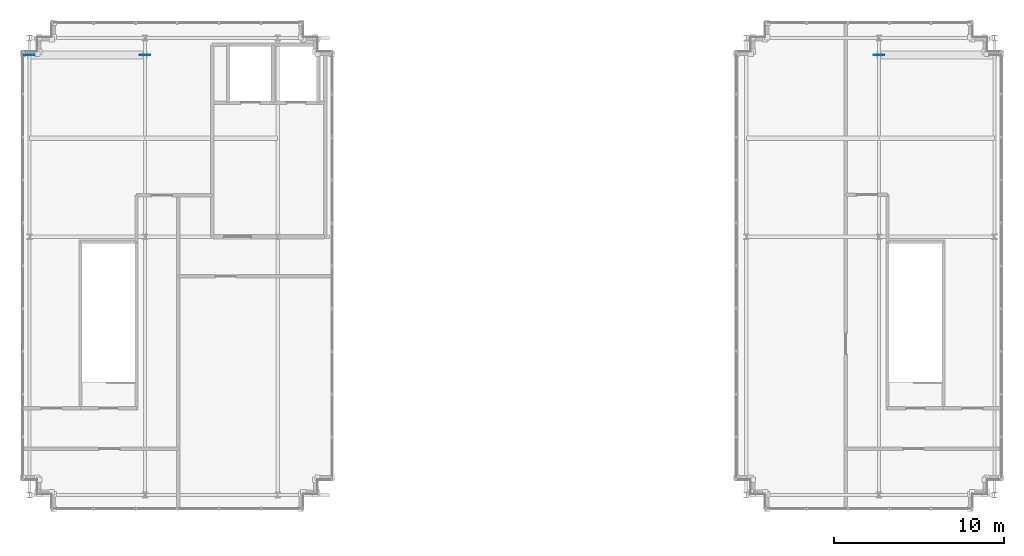
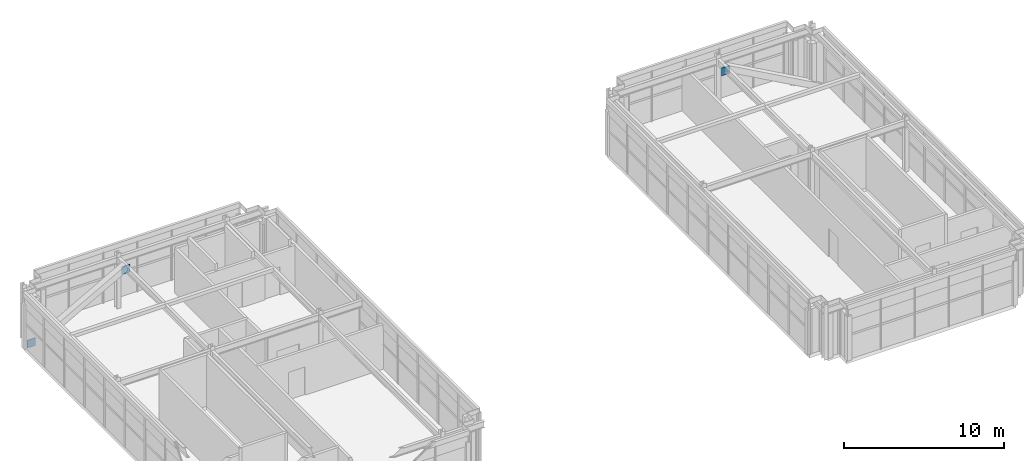
# One storey, part 21 of 25: 3 plates.
"""IFC4 building model written with IfcOpenShell, lengths in metres."""

from ifc_helpers import new_model, si_unit, direction, frame, origin, origin_2d, place, context, subcontext, project, spatial, rectangle, extrude, source, transform, mapped, material, layer, layer_set, type_object, element, save


model = new_model("IFC4")

# Units and contexts
model_context = context("Model", 3, precision=1e-05, world=origin(), true_north=direction((0.0, 1.0)))
body_context = subcontext(model_context, "Body", "Model", "MODEL_VIEW")
ifc_project = project(units=[si_unit("LENGTHUNIT", "METRE"), si_unit("AREAUNIT", "SQUARE_METRE"), si_unit("VOLUMEUNIT", "CUBIC_METRE"), si_unit("PLANEANGLEUNIT", "RADIAN"), si_unit("MASSUNIT", "GRAM", prefix="KILO")], contexts=[model_context])

# Site, building, storey
site_placement = place(None, origin())
site = spatial("IfcSite", under=ifc_project, at=site_placement, CompositionType="ELEMENT")
building_placement = place(site_placement, origin())
building = spatial("IfcBuilding", under=site, at=building_placement, Name="Trelvane Seafront Commons", CompositionType="ELEMENT")
storey_placement = place(building_placement, frame((0.0, 0.0, 320.89990234375)))
storey = spatial("IfcBuildingStorey", under=building, at=storey_placement, Name="L83", CompositionType="ELEMENT", Elevation=320.89990234375)

# Plates
ifc_material = material(Name="Steel SM355 (S355)", Category="steel")
ifc_layer = layer(ifc_material, 0.031982421875, Name="STR-PLT-GUS2")
ifc_layer_set = layer_set([ifc_layer], Name="Steel SM355 (S355)")
plate_type = type_object("IfcPlateType", Name="STR-PLT-GUS2", PredefinedType="SHEET", material=ifc_layer_set)
shared_shape = source(origin(), body_context, "Body", "SweptSolid", [
    extrude(rectangle(XDim=0.60009765625, YDim=0.031982421875, at=origin_2d()), origin(), (0.0, 0.0, 1.0), 0.60009765625),
])
for number, where, z_axis, x_axis, name in (
    (1, (8.800048828125, 44.10009765625, -0.02001953125), (0.0, 0.0, 1.0), (1.0, 0.0, 0.0), "L83 Brace Connection Gusset Plate GP-139"),
    (2, (15.60009765625, 44.10009765625, 3.199951171875), (0.0, 0.0, 1.0), (1.0, 0.0, 0.0), "L83 Brace Connection Gusset Plate GP-140"),
    (3, (58.800048828125, 44.10009765625, 3.199951171875), (0.0, 0.0, 1.0), (1.0, 0.0, 0.0), "L83 Brace Connection Gusset Plate GP-142"),
):
    element("IfcPlate", number, at=place(storey_placement, frame(where, z_axis=z_axis, x_axis=x_axis)), inside=storey, type_object=plate_type, Name=name, PredefinedType="SHEET", context=body_context, shape_type="MappedRepresentation", body=[
        mapped(shared_shape, transform((0.0, 0.0, 0.0), x_axis=(1.0, 0.0, 0.0), y_axis=(0.0, 1.0, 0.0), z_axis=(0.0, 0.0, 1.0), scale=1.0)),
    ])

save(model, "model.ifc")
